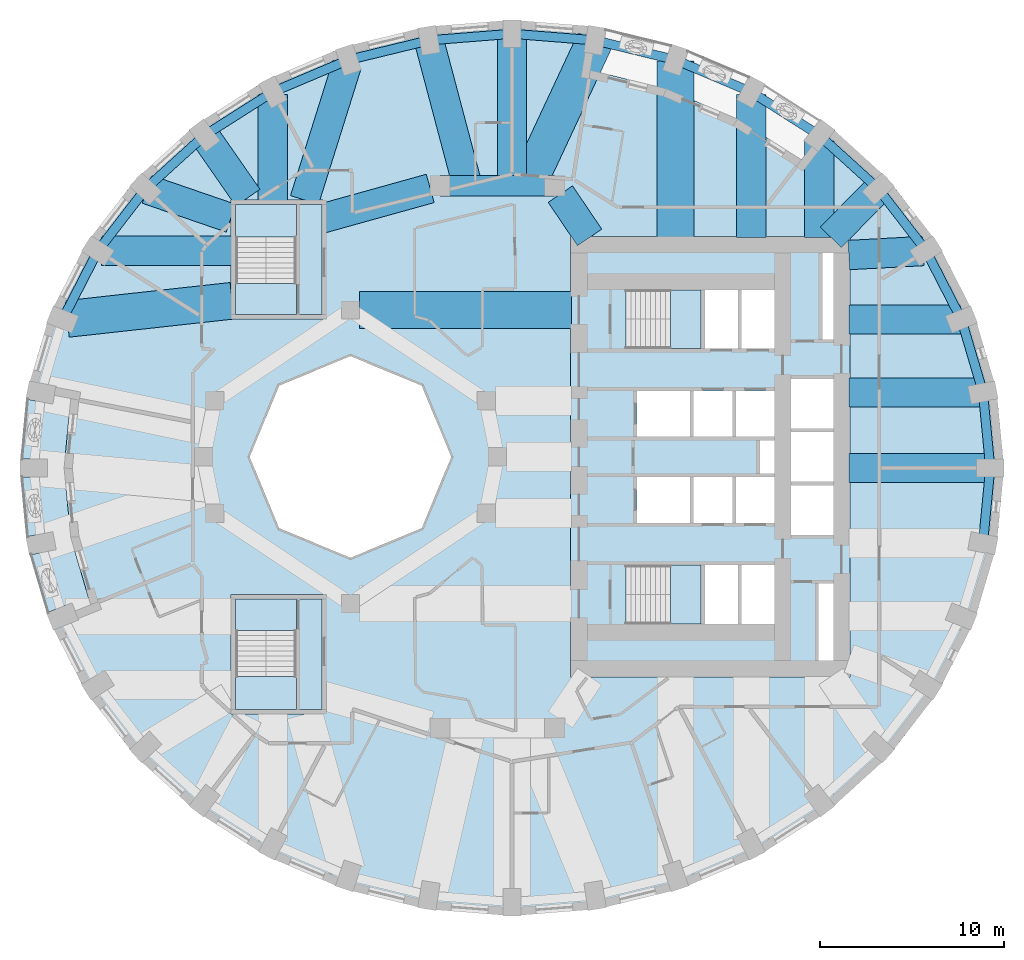
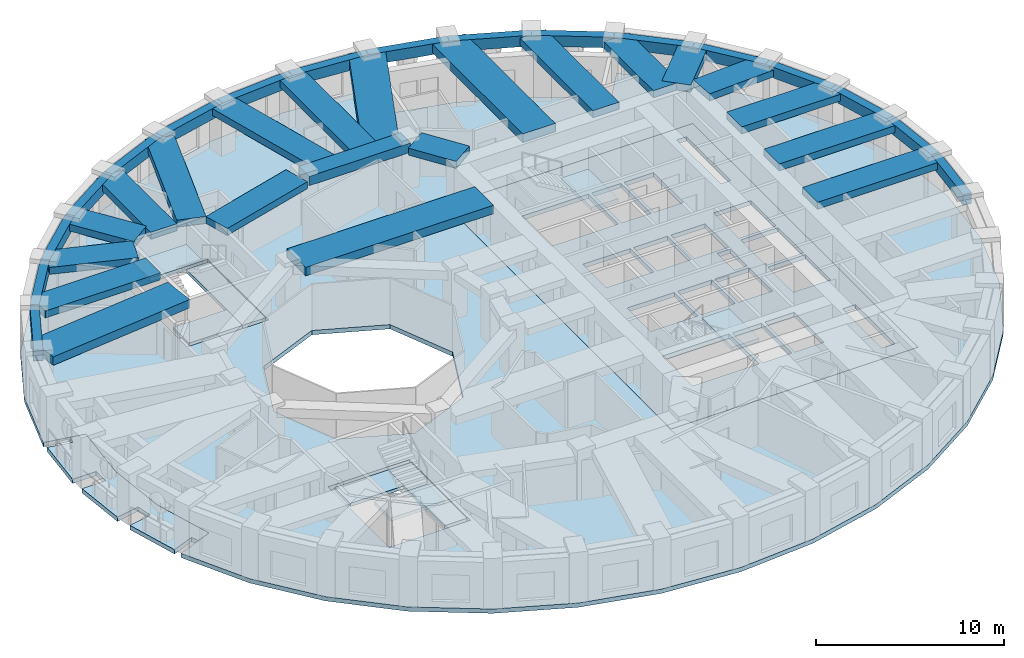
# One storey, part 2 of 12: 38 beams, 11 slabs, 4 elements without a shape of their own.
"""IFC4 building model written with IfcOpenShell, lengths in metres."""

import ifcopenshell
import ifcopenshell.guid

model = None  # the IFC model being written
_history = None  # IfcOwnerHistory: only IFC2X3 demands one
_inside = {}  # id of a spatial element -> (the spatial element, [elements in it])
_under = {}  # id of a project, library or spatial element -> (it, [spatial elements below it])
_declared = {}  # id of a project -> (the project, [libraries it declares])
_typed = {}  # id of a type object -> (the type object, [elements of that type])
_made_of = {}  # id of a material, layer set ... -> (it, [elements and type objects made of it])


def new_model(schema):
    """Start an empty IFC model of exactly this schema.

    Asked for "IFC4X3", IfcOpenShell would pick the latest addendum, in which some entities
    have other attributes; the version numbers below select the first issue.
    IFC2X3 requires an IfcOwnerHistory on every rooted entity: one is made here for all.
    """
    global model, _history
    if schema == "IFC4X3":
        model = ifcopenshell.file(schema_version=(4, 3, 0, 0))
    else:
        model = ifcopenshell.file(schema=schema)
    _inside.clear()
    _under.clear()
    _declared.clear()
    _typed.clear()
    _made_of.clear()
    _history = None
    if model.schema == "IFC2X3":
        org = make("IfcOrganization", Name="unknown")
        user = make(
            "IfcPersonAndOrganization",
            ThePerson=make("IfcPerson", FamilyName="unknown"),
            TheOrganization=org,
        )
        app = make(
            "IfcApplication",
            ApplicationDeveloper=org,
            Version="unknown",
            ApplicationFullName="unknown",
            ApplicationIdentifier="unknown",
        )
        _history = make(
            "IfcOwnerHistory",
            OwningUser=user,
            OwningApplication=app,
            ChangeAction="ADDED",
            CreationDate=0,
        )
    return model


def make(cls, **values):
    """One entity of the class cls with the attributes given. An attribute that is None is left unset."""
    return model.create_entity(
        cls, **{name: value for name, value in values.items() if value is not None}
    )


def rooted(cls, **values):
    """An entity with a GlobalId (a new one), such as an element, a storey or a relation."""
    return make(cls, GlobalId=ifcopenshell.guid.new(), OwnerHistory=_history, **values)


def si_unit(unit_type, name, prefix=None):
    """IfcSIUnit, for example si_unit("LENGTHUNIT", "METRE", prefix="MILLI")."""
    return make("IfcSIUnit", UnitType=unit_type, Prefix=prefix, Name=name)


def assignment(units):
    """IfcUnitAssignment: the units of a project."""
    return None if units is None else make("IfcUnitAssignment", Units=units)


def point(xyz):
    """IfcCartesianPoint."""
    return None if xyz is None else make("IfcCartesianPoint", Coordinates=xyz)


def direction(xyz):
    """IfcDirection."""
    return None if xyz is None else make("IfcDirection", DirectionRatios=xyz)


def frame(location, z_axis=None, x_axis=None):
    """IfcAxis2Placement3D, a coordinate frame: its origin and axes. An axis left out is left unset."""
    return make(
        "IfcAxis2Placement3D",
        Location=point(location),
        Axis=direction(z_axis),
        RefDirection=direction(x_axis),
    )


def frame_2d(location, x_axis=None):
    """IfcAxis2Placement2D, a coordinate frame in the plane: its origin and x axis."""
    return make(
        "IfcAxis2Placement2D", Location=point(location), RefDirection=direction(x_axis)
    )


def origin():
    """The frame at (0, 0, 0) with its axes left unset."""
    return frame((0.0, 0.0, 0.0))


def origin_2d():
    """The frame at (0, 0) in the plane with its x axis left unset."""
    return frame_2d((0.0, 0.0))


def place(relative_to, where):
    """IfcLocalPlacement: puts the frame where relative to a parent placement (None: the world)."""
    return make(
        "IfcLocalPlacement", PlacementRelTo=relative_to, RelativePlacement=where
    )


def context(
    kind, dimensions, precision=None, world=None, true_north=None, identifier=None
):
    """IfcGeometricRepresentationContext, for example the 3D "Model" context."""
    return make(
        "IfcGeometricRepresentationContext",
        ContextIdentifier=identifier,
        ContextType=kind,
        CoordinateSpaceDimension=dimensions,
        Precision=precision,
        WorldCoordinateSystem=world,
        TrueNorth=true_north,
    )


def subcontext(parent, identifier, kind, view, scale=None):
    """IfcGeometricRepresentationSubContext, for example "Body" below "Model"."""
    return make(
        "IfcGeometricRepresentationSubContext",
        ContextIdentifier=identifier,
        ContextType=kind,
        ParentContext=parent,
        TargetScale=scale,
        TargetView=view,
    )


def project(units=None, contexts=None):
    """IfcProject with its units and contexts."""
    return rooted(
        "IfcProject",
        Name="project",
        RepresentationContexts=contexts,
        UnitsInContext=assignment(units),
    )


def spatial(cls, under=None, at=None, **own):
    """A site, building, storey or space (cls), placed at a placement, below another one or the project."""
    s = rooted(cls, ObjectPlacement=at, **own)
    if under is not None:
        _under.setdefault(under.id(), (under, []))[1].append(s)
    return s


def polyline(points):
    """IfcPolyline through the points."""
    return make("IfcPolyline", Points=[point(p) for p in points])


def profile(cls, at=None, kind="AREA", **sizes):
    """A parametric profile (cls). Its sizes go by their IFC names, for example OverallWidth=200.0."""
    return make(cls, ProfileType=kind, Position=at, **sizes)


def rectangle(**sizes):
    """IfcRectangleProfileDef."""
    return profile("IfcRectangleProfileDef", **sizes)


def outline(outer, holes=None, kind="AREA"):
    """IfcArbitraryClosedProfileDef: a profile drawn as a closed curve; with holes, ...WithVoids."""
    if holes is None:
        return make("IfcArbitraryClosedProfileDef", ProfileType=kind, OuterCurve=outer)
    return make(
        "IfcArbitraryProfileDefWithVoids",
        ProfileType=kind,
        OuterCurve=outer,
        InnerCurves=holes,
    )


def extrude(swept, where, along, depth):
    """IfcExtrudedAreaSolid: the profile swept, set in the frame where, extruded along a direction by depth."""
    return make(
        "IfcExtrudedAreaSolid",
        SweptArea=swept,
        Position=where,
        ExtrudedDirection=direction(along),
        Depth=depth,
    )


def shape(context_of_items, identifier, shape_type, items):
    """IfcShapeRepresentation: the items that make up one representation, for example the "Body"."""
    return make(
        "IfcShapeRepresentation",
        ContextOfItems=context_of_items,
        RepresentationIdentifier=identifier,
        RepresentationType=shape_type,
        Items=items,
    )


def material(Name=None, Category=None):
    """IfcMaterial."""
    return make("IfcMaterial", Name=Name, Category=Category)


def layer(
    of_material, thickness, ventilated=None, Name=None, Category=None, Priority=None
):
    """IfcMaterialLayer: one layer of a wall or slab, of a material (None: an air gap)."""
    return make(
        "IfcMaterialLayer",
        Material=of_material,
        LayerThickness=thickness,
        IsVentilated=ventilated,
        Name=Name,
        Category=Category,
        Priority=Priority,
    )


def layer_set(layers, Name=None):
    """IfcMaterialLayerSet."""
    return make("IfcMaterialLayerSet", MaterialLayers=layers, LayerSetName=Name)


def material_profile(
    of_material, cross_section, Name=None, Category=None, Priority=None
):
    """IfcMaterialProfile: a cross section and its material."""
    return make(
        "IfcMaterialProfile",
        Name=Name,
        Material=of_material,
        Profile=cross_section,
        Priority=Priority,
        Category=Category,
    )


def profile_set(profiles, Name=None, composite=None):
    """IfcMaterialProfileSet."""
    return make(
        "IfcMaterialProfileSet",
        Name=Name,
        MaterialProfiles=profiles,
        CompositeProfile=composite,
    )


def made_of(thing, what):
    """Note that an element or type object is made of a material, layer set ...; save() writes the relation."""
    if what is not None:
        _made_of.setdefault(what.id(), (what, []))[1].append(thing)
    return thing


def type_object(cls, material=None, **own):
    """A type object (cls), such as IfcWallType, which elements share."""
    return made_of(rooted(cls, **own), material)


def element(
    cls,
    number,
    at=None,
    inside=None,
    cuts=None,
    type_object=None,
    material=None,
    context=None,
    identifier="Body",
    shape_type=None,
    held_by="IfcProductDefinitionShape",
    body=None,
    shapes=None,
    **own,
):
    """One element of the class cls, such as IfcWall. Its Tag is "e" and its number.

    at: its placement. inside: the storey or other place that contains it. cuts: it is an
    opening in that element (IfcRelVoidsElement). A single representation is given by context,
    identifier, shape_type and body (its items); several are given by shapes. held_by: the class
    of the entity that holds the representations. save() writes the other relations.
    """
    e = rooted(cls, Tag="e%d" % number, ObjectPlacement=at, **own)
    if body is not None:
        shapes = [shape(context, identifier, shape_type, body)]
    if shapes is not None:
        e.Representation = make(held_by, Representations=shapes)
    if inside is not None:
        _inside.setdefault(inside.id(), (inside, []))[1].append(e)
    if cuts is not None:
        rooted(
            "IfcRelVoidsElement", RelatingBuildingElement=cuts, RelatedOpeningElement=e
        )
    if type_object is not None:
        _typed.setdefault(type_object.id(), (type_object, []))[1].append(e)
    return made_of(e, material)


def aggregate(whole, parts):
    """IfcRelAggregates: a whole, such as a stair, and the parts it consists of."""
    return rooted("IfcRelAggregates", RelatingObject=whole, RelatedObjects=parts)


def save(model, path):
    """Write the relations noted so far, then the file.

    IfcRelAggregates (storeys below a building ...), IfcRelContainedInSpatialStructure (elements
    in a storey), IfcRelDefinesByType, IfcRelAssociatesMaterial and IfcRelDeclares: one each for
    every whole, place, type object, material and project.
    """
    for whole, parts in _under.values():
        aggregate(whole, parts)
    for where, things in _inside.values():
        rooted(
            "IfcRelContainedInSpatialStructure",
            RelatedElements=things,
            RelatingStructure=where,
        )
    for kind, things in _typed.values():
        rooted("IfcRelDefinesByType", RelatedObjects=things, RelatingType=kind)
    for what, things in _made_of.values():
        rooted("IfcRelAssociatesMaterial", RelatedObjects=things, RelatingMaterial=what)
    for by, libraries in _declared.values():
        rooted("IfcRelDeclares", RelatingContext=by, RelatedDefinitions=libraries)
    model.write(path)


model = new_model("IFC4")

# Units and contexts
model_context = context("Model", 3, precision=1e-05, world=origin(), true_north=direction((0.0, 1.0)))
body_context = subcontext(model_context, "Body", "Model", "MODEL_VIEW")
ifc_project = project(units=[si_unit("LENGTHUNIT", "METRE"), si_unit("AREAUNIT", "SQUARE_METRE"), si_unit("VOLUMEUNIT", "CUBIC_METRE"), si_unit("PLANEANGLEUNIT", "RADIAN"), si_unit("MASSUNIT", "GRAM", prefix="KILO")], contexts=[model_context])

# Site, building, storey
site_placement = place(None, origin())
site = spatial("IfcSite", under=ifc_project, at=site_placement, CompositionType="ELEMENT")
building_placement = place(site_placement, origin())
building = spatial("IfcBuilding", under=site, at=building_placement, Name="Taillehof Tower", CompositionType="ELEMENT")
storey_placement = place(building_placement, frame((0.0, 0.0, 105.39990234375)))
storey = spatial("IfcBuildingStorey", under=building, at=storey_placement, Name="L29", CompositionType="ELEMENT", Elevation=105.39990234375)

# Beams
ifc_material_1 = material(Name="Concrete C50/60", Category="concrete")
ifc_material_profile_1 = material_profile(ifc_material_1, rectangle(XDim=1.10009765625, YDim=0.60009765625, at=origin_2d()), Name="RC 1100x600")
ifc_profile_set_1 = profile_set([ifc_material_profile_1], Name="Concrete C50/60")
beam_type_1 = type_object("IfcBeamType", Name="Mid-ring beam C50/60 1100x600", PredefinedType="BEAM", material=ifc_profile_set_1)
beam_1_placement = place(storey_placement, frame((3.125732421875, 14.772216796875, 2.72021484375), z_axis=(-1.0, 0.0, 0.0), x_axis=(0.0, -1.0, 0.0)))
element("IfcBeam", 1, at=beam_1_placement, inside=storey, type_object=beam_type_1, Name="Mid-ring beam MB01", PredefinedType="BEAM", context=body_context, shape_type="SweptSolid", body=[
    extrude(rectangle(XDim=1.10009765625, YDim=0.60009765625, at=origin_2d()), origin(), (0.0, 0.0, 1.0), 6.25146484375),
])
ifc_material_2 = material(Name="Concrete C50/60", Category="concrete")
ifc_material_profile_2 = material_profile(ifc_material_2, rectangle(XDim=1.60009765625, YDim=0.449951171875, at=origin_2d()), Name="RC 1600x450")
ifc_profile_set_2 = profile_set([ifc_material_profile_2], Name="Concrete C50/60")
beam_type_2 = type_object("IfcBeamType", Name="Radial band beam C50/60 1600x450", PredefinedType="BEAM", material=ifc_profile_set_2)
beam_2_placement = place(storey_placement, frame((26.85009765625, -0.60009765625, 2.795166015625), z_axis=(-1.0, 0.0, 0.0), x_axis=(0.0, -1.0, 0.0)))
element("IfcBeam", 2, at=beam_2_placement, inside=storey, type_object=beam_type_2, Name="Radial band beam RB01", PredefinedType="BEAM", context=body_context, shape_type="SweptSolid", body=[
    extrude(rectangle(XDim=1.60009765625, YDim=0.449951171875, at=origin_2d()), origin(), (0.0, 0.0, 1.0), 7.7001953125),
])
beam_3_placement = place(storey_placement, frame((26.454345703125, 3.5068359375, 2.795166015625), z_axis=(-1.0, 0.0, 0.0), x_axis=(0.0, -1.0, 0.0)))
element("IfcBeam", 3, at=beam_3_placement, inside=storey, type_object=beam_type_2, Name="Radial band beam RB02", PredefinedType="BEAM", context=body_context, shape_type="SweptSolid", body=[
    extrude(rectangle(XDim=1.60009765625, YDim=0.449951171875, at=origin_2d()), origin(), (0.0, 0.0, 1.0), 7.304443359375),
])
beam_4_placement = place(storey_placement, frame((25.2275390625, 7.48876953125, 2.795166015625), z_axis=(-1.0, 0.0, 0.0), x_axis=(0.0, -1.0, 0.0)))
element("IfcBeam", 4, at=beam_4_placement, inside=storey, type_object=beam_type_2, Name="Radial band beam RB03", PredefinedType="BEAM", context=body_context, shape_type="SweptSolid", body=[
    extrude(rectangle(XDim=1.60009765625, YDim=0.449951171875, at=origin_2d()), origin(), (0.0, 0.0, 1.0), 6.07763671875),
])
beam_5_placement = place(storey_placement, frame((23.197021484375, 11.21630859375, 2.795166015625), z_axis=(-0.998539024739, -0.054035322466, 0.0), x_axis=(0.054035322466, -0.998539024739, 0.0)))
element("IfcBeam", 5, at=beam_5_placement, inside=storey, type_object=beam_type_2, Name="Radial band beam RB04", PredefinedType="BEAM", context=body_context, shape_type="SweptSolid", body=[
    extrude(rectangle(XDim=1.60009765625, YDim=0.449951171875, at=origin_2d()), origin(), (0.0, 0.0, 1.0), 4.052734375),
])
beam_6_placement = place(storey_placement, frame((20.75537109375, 14.60205078125, 2.795166015625), z_axis=(-0.700671998657, -0.713483531903, 0.0), x_axis=(0.713483531903, -0.700671998657, 0.0)))
element("IfcBeam", 6, at=beam_6_placement, inside=storey, type_object=beam_type_2, Name="Radial band beam RB05", PredefinedType="BEAM", context=body_context, shape_type="SweptSolid", body=[
    extrude(rectangle(XDim=1.60009765625, YDim=0.449951171875, at=origin_2d()), origin(), (0.0, 0.0, 1.0), 3.697021484375),
])
beam_7_placement = place(storey_placement, frame((17.544677734375, 17.2216796875, 2.795166015625), z_axis=(0.0, -1.0, 0.0), x_axis=(1.0, 0.0, 0.0)))
element("IfcBeam", 7, at=beam_7_placement, inside=storey, type_object=beam_type_2, Name="Radial band beam RB06", PredefinedType="BEAM", context=body_context, shape_type="SweptSolid", body=[
    extrude(rectangle(XDim=1.60009765625, YDim=0.449951171875, at=origin_2d()), origin(), (0.0, 0.0, 1.0), 5.271728515625),
])
beam_8_placement = place(storey_placement, frame((13.824951171875, 19.744384765625, 2.795166015625), z_axis=(0.0, -1.0, 0.0), x_axis=(1.0, 0.0, 0.0)))
element("IfcBeam", 8, at=beam_8_placement, inside=storey, type_object=beam_type_2, Name="Radial band beam RB07", PredefinedType="BEAM", context=body_context, shape_type="SweptSolid", body=[
    extrude(rectangle(XDim=1.60009765625, YDim=0.449951171875, at=origin_2d()), origin(), (0.0, 0.0, 1.0), 7.79443359375),
])
beam_9_placement = place(storey_placement, frame((0.800048828125, 23.050048828125, 2.795166015625), z_axis=(0.0, -1.0, 0.0), x_axis=(1.0, 0.0, 0.0)))
element("IfcBeam", 9, at=beam_9_placement, inside=storey, type_object=beam_type_2, Name="Radial band beam RB10", PredefinedType="BEAM", context=body_context, shape_type="SweptSolid", body=[
    extrude(rectangle(XDim=1.60009765625, YDim=0.449951171875, at=origin_2d()), origin(), (0.0, 0.0, 1.0), 8.27783203125),
])
beam_10_placement = place(storey_placement, frame((-3.7236328125, 22.690673828125, 2.795166015625), z_axis=(0.256102263642, -0.966649693817, 0.0), x_axis=(0.966649693817, 0.256102263642, 0.0)))
element("IfcBeam", 10, at=beam_10_placement, inside=storey, type_object=beam_type_2, Name="Radial band beam RB11", PredefinedType="BEAM", context=body_context, shape_type="SweptSolid", body=[
    extrude(rectangle(XDim=1.60009765625, YDim=0.449951171875, at=origin_2d()), origin(), (0.0, 0.0, 1.0), 8.191650390625),
])
beam_11_placement = place(storey_placement, frame((-8.189453125, 21.369140625, 2.795166015625), z_axis=(-0.299184997435, -0.954195125386, 0.0), x_axis=(0.954195125386, -0.299184997435, 0.0)))
element("IfcBeam", 11, at=beam_11_placement, inside=storey, type_object=beam_type_2, Name="Radial band beam RB12", PredefinedType="BEAM", context=body_context, shape_type="SweptSolid", body=[
    extrude(rectangle(XDim=1.60009765625, YDim=0.449951171875, at=origin_2d()), origin(), (0.0, 0.0, 1.0), 7.728515625),
])
beam_12_placement = place(storey_placement, frame((-12.22509765625, 19.744384765625, 2.795166015625), z_axis=(0.0, -1.0, 0.0), x_axis=(1.0, 0.0, 0.0)))
element("IfcBeam", 12, at=beam_12_placement, inside=storey, type_object=beam_type_2, Name="Radial band beam RB13", PredefinedType="BEAM", context=body_context, shape_type="SweptSolid", body=[
    extrude(rectangle(XDim=1.60009765625, YDim=0.449951171875, at=origin_2d()), origin(), (0.0, 0.0, 1.0), 5.79443359375),
])
beam_13_placement = place(storey_placement, frame((-15.944580078125, 17.516845703125, 2.795166015625), z_axis=(0.570763290366, -0.821114648737, 0.0), x_axis=(0.821114648737, 0.570763290366, 0.0)))
element("IfcBeam", 13, at=beam_13_placement, inside=storey, type_object=beam_type_2, Name="Radial band beam RB14", PredefinedType="BEAM", context=body_context, shape_type="SweptSolid", body=[
    extrude(rectangle(XDim=1.60009765625, YDim=0.449951171875, at=origin_2d()), origin(), (0.0, 0.0, 1.0), 4.1328125),
])
beam_14_placement = place(storey_placement, frame((-19.080810546875, 14.576171875, 2.795166015625), z_axis=(0.945583195076, -0.325380425334, 0.0), x_axis=(0.325380425334, 0.945583195076, 0.0)))
element("IfcBeam", 14, at=beam_14_placement, inside=storey, type_object=beam_type_2, Name="Radial band beam RB15", PredefinedType="BEAM", context=body_context, shape_type="SweptSolid", body=[
    extrude(rectangle(XDim=1.60009765625, YDim=0.449951171875, at=origin_2d()), origin(), (0.0, 0.0, 1.0), 4.83349609375),
])
beam_15_placement = place(storey_placement, frame((-21.54736328125, 11.22509765625, 2.795166015625), z_axis=(1.0, 0.0, 0.0), x_axis=(0.0, 1.0, 0.0)))
element("IfcBeam", 15, at=beam_15_placement, inside=storey, type_object=beam_type_2, Name="Radial band beam RB16", PredefinedType="BEAM", context=body_context, shape_type="SweptSolid", body=[
    extrude(rectangle(XDim=1.60009765625, YDim=0.449951171875, at=origin_2d()), origin(), (0.0, 0.0, 1.0), 7.097412109375),
])
beam_16_placement = place(storey_placement, frame((3.433837890625, 14.31640625, 2.795166015625), z_axis=(0.560112043398, -0.828416862962, 0.0), x_axis=(0.828416862962, 0.560112043398, 0.0)))
element("IfcBeam", 16, at=beam_16_placement, inside=storey, type_object=beam_type_2, Name="Inner band beam IB205", PredefinedType="BEAM", context=body_context, shape_type="SweptSolid", body=[
    extrude(rectangle(XDim=1.60009765625, YDim=0.449951171875, at=origin_2d()), origin(), (0.0, 0.0, 1.0), 2.84619140625),
])
beam_17_placement = place(storey_placement, frame((-3.655517578125, 14.624755859375, 2.795166015625), z_axis=(-0.963459369536, -0.267854518821, 0.0), x_axis=(0.267854518821, -0.963459369536, 0.0)))
element("IfcBeam", 17, at=beam_17_placement, inside=storey, type_object=beam_type_2, Name="Inner band beam IB206", PredefinedType="BEAM", context=body_context, shape_type="SweptSolid", body=[
    extrude(rectangle(XDim=1.60009765625, YDim=0.449951171875, at=origin_2d()), origin(), (0.0, 0.0, 1.0), 6.096923828125),
])
ifc_material_3 = material(Name="Concrete C50/60", Category="concrete")
ifc_material_profile_3 = material_profile(ifc_material_3, rectangle(XDim=2.0, YDim=0.550048828125, at=origin_2d()), Name="RC 2000x550")
ifc_profile_set_3 = profile_set([ifc_material_profile_3], Name="Concrete C50/60")
beam_type_3 = type_object("IfcBeamType", Name="Radial band beam C50/60 2000x550", PredefinedType="BEAM", material=ifc_profile_set_3)
beam_18_placement = place(storey_placement, frame((9.709716796875, 21.556640625, 2.7451171875), z_axis=(0.0, -1.0, 0.0), x_axis=(1.0, 0.0, 0.0)))
element("IfcBeam", 18, at=beam_18_placement, inside=storey, type_object=beam_type_3, Name="Radial band beam RB08", PredefinedType="BEAM", context=body_context, shape_type="SweptSolid", body=[
    extrude(rectangle(XDim=2.0, YDim=0.550048828125, at=origin_2d()), origin(), (0.0, 0.0, 1.0), 9.606689453125),
])
beam_19_placement = place(storey_placement, frame((5.312744140625, 22.66748046875, 2.7451171875), z_axis=(-0.423126261145, -0.90607072965, 0.0), x_axis=(0.90607072965, -0.423126261145, 0.0)))
element("IfcBeam", 19, at=beam_19_placement, inside=storey, type_object=beam_type_3, Name="Radial band beam RB09", PredefinedType="BEAM", context=body_context, shape_type="SweptSolid", body=[
    extrude(rectangle(XDim=2.0, YDim=0.550048828125, at=origin_2d()), origin(), (0.0, 0.0, 1.0), 8.713623046875),
])
beam_20_placement = place(storey_placement, frame((-23.42919921875, 7.516357421875, 2.7451171875), z_axis=(0.993988424713, 0.109485211499, 0.0), x_axis=(-0.109485211499, 0.993988424713, 0.0)))
element("IfcBeam", 20, at=beam_20_placement, inside=storey, type_object=beam_type_3, Name="Radial band beam RB17", PredefinedType="BEAM", context=body_context, shape_type="SweptSolid", body=[
    extrude(rectangle(XDim=2.0, YDim=0.550048828125, at=origin_2d()), origin(), (0.0, 0.0, 1.0), 9.033203125),
])
beam_21_placement = place(storey_placement, frame((-7.5, 8.0, 2.7451171875), z_axis=(1.0, 0.0, 0.0), x_axis=(0.0, 1.0, 0.0)))
element("IfcBeam", 21, at=beam_21_placement, inside=storey, type_object=beam_type_3, Name="Inner band beam IB105", PredefinedType="BEAM", context=body_context, shape_type="SweptSolid", body=[
    extrude(rectangle(XDim=2.0, YDim=0.550048828125, at=origin_2d()), origin(), (0.0, 0.0, 1.0), 11.550048828125),
])
ifc_material_4 = material(Name="Concrete C50/60", Category="concrete")
ifc_material_profile_4 = material_profile(ifc_material_4, rectangle(XDim=0.5, YDim=0.699951171875, at=origin_2d()), Name="RC 500x700")
ifc_profile_set_4 = profile_set([ifc_material_profile_4], Name="Concrete C50/60")
beam_type_4 = type_object("IfcBeamType", Name="Spandrel beam C50/60 500x700", PredefinedType="SPANDREL", material=ifc_profile_set_4)
beam_22_placement = place(storey_placement, frame((26.85009765625, -0.60009765625, 2.670166015625), z_axis=(-0.095917608943, 0.995389276763, 0.0), x_axis=(-0.995389276763, -0.095917608943, 0.0)))
element("IfcBeam", 22, at=beam_22_placement, inside=storey, type_object=beam_type_4, Name="Spandrel beam SB01", PredefinedType="SPANDREL", context=body_context, shape_type="SweptSolid", body=[
    extrude(rectangle(XDim=0.5, YDim=0.699951171875, at=origin_2d()), origin(), (0.0, 0.0, 1.0), 4.1259765625),
])
beam_23_placement = place(storey_placement, frame((26.454345703125, 3.5068359375, 2.670166015625), z_axis=(-0.28308309012, 0.95909538842, 0.0), x_axis=(-0.95909538842, -0.28308309012, 0.0)))
element("IfcBeam", 23, at=beam_23_placement, inside=storey, type_object=beam_type_4, Name="Spandrel beam SB02", PredefinedType="SPANDREL", context=body_context, shape_type="SweptSolid", body=[
    extrude(rectangle(XDim=0.5, YDim=0.699951171875, at=origin_2d()), origin(), (0.0, 0.0, 1.0), 4.15185546875),
])
beam_24_placement = place(storey_placement, frame((25.279052734375, 7.48876953125, 2.670166015625), z_axis=(-0.456905372708, 0.88951530644, 0.0), x_axis=(-0.88951530644, -0.456905372708, 0.0)))
element("IfcBeam", 24, at=beam_24_placement, inside=storey, type_object=beam_type_4, Name="Spandrel beam SB03", PredefinedType="SPANDREL", context=body_context, shape_type="SweptSolid", body=[
    extrude(rectangle(XDim=0.5, YDim=0.699951171875, at=origin_2d()), origin(), (0.0, 0.0, 1.0), 4.200439453125),
])
beam_25_placement = place(storey_placement, frame((23.35986328125, 11.22509765625, 2.670166015625), z_axis=(-0.61071731561, 0.79184869793, 0.0), x_axis=(-0.79184869793, -0.61071731561, 0.0)))
element("IfcBeam", 25, at=beam_25_placement, inside=storey, type_object=beam_type_4, Name="Spandrel beam SB04", PredefinedType="SPANDREL", context=body_context, shape_type="SweptSolid", body=[
    extrude(rectangle(XDim=0.5, YDim=0.699951171875, at=origin_2d()), origin(), (0.0, 0.0, 1.0), 4.2646484375),
])
beam_26_placement = place(storey_placement, frame((20.75537109375, 14.60205078125, 2.670166015625), z_axis=(-0.740400998917, 0.672165426665, 0.0), x_axis=(-0.672165426665, -0.740400998917, 0.0)))
element("IfcBeam", 26, at=beam_26_placement, inside=storey, type_object=beam_type_4, Name="Spandrel beam SB05", PredefinedType="SPANDREL", context=body_context, shape_type="SweptSolid", body=[
    extrude(rectangle(XDim=0.5, YDim=0.699951171875, at=origin_2d()), origin(), (0.0, 0.0, 1.0), 4.33642578125),
])
beam_27_placement = place(storey_placement, frame((17.544677734375, 17.516845703125, 2.670166015625), z_axis=(-0.843903157847, 0.536495536027, 0.0), x_axis=(-0.536495536027, -0.843903157847, 0.0)))
element("IfcBeam", 27, at=beam_27_placement, inside=storey, type_object=beam_type_4, Name="Spandrel beam SB06", PredefinedType="SPANDREL", context=body_context, shape_type="SweptSolid", body=[
    extrude(rectangle(XDim=0.5, YDim=0.699951171875, at=origin_2d()), origin(), (0.0, 0.0, 1.0), 4.40771484375),
])
beam_28_placement = place(storey_placement, frame((13.824951171875, 19.881591796875, 2.670166015625), z_axis=(-0.920876744153, 0.389853847074, 0.0), x_axis=(-0.389853847074, -0.920876744153, 0.0)))
element("IfcBeam", 28, at=beam_28_placement, inside=storey, type_object=beam_type_4, Name="Spandrel beam SB07", PredefinedType="SPANDREL", context=body_context, shape_type="SweptSolid", body=[
    extrude(rectangle(XDim=0.5, YDim=0.699951171875, at=origin_2d()), origin(), (0.0, 0.0, 1.0), 4.46875),
])
beam_29_placement = place(storey_placement, frame((9.709716796875, 21.623779296875, 2.670166015625), z_axis=(-0.971668945916, 0.23634605887, 0.0), x_axis=(-0.23634605887, -0.971668945916, 0.0)))
element("IfcBeam", 29, at=beam_29_placement, inside=storey, type_object=beam_type_4, Name="Spandrel beam SB08", PredefinedType="SPANDREL", context=body_context, shape_type="SweptSolid", body=[
    extrude(rectangle(XDim=0.5, YDim=0.699951171875, at=origin_2d()), origin(), (0.0, 0.0, 1.0), 4.51416015625),
])
beam_30_placement = place(storey_placement, frame((5.323486328125, 22.690673828125, 2.670166015625), z_axis=(-0.996858923208, 0.079197772828, 0.0), x_axis=(-0.079197772828, -0.996858923208, 0.0)))
element("IfcBeam", 30, at=beam_30_placement, inside=storey, type_object=beam_type_4, Name="Spandrel beam SB09", PredefinedType="SPANDREL", context=body_context, shape_type="SweptSolid", body=[
    extrude(rectangle(XDim=0.5, YDim=0.699951171875, at=origin_2d()), origin(), (0.0, 0.0, 1.0), 4.53759765625),
])
beam_31_placement = place(storey_placement, frame((0.800048828125, 23.050048828125, 2.670166015625), z_axis=(-0.996859260648, -0.079193525375, 0.0), x_axis=(0.079193525375, -0.996859260648, 0.0)))
element("IfcBeam", 31, at=beam_31_placement, inside=storey, type_object=beam_type_4, Name="Spandrel beam SB10", PredefinedType="SPANDREL", context=body_context, shape_type="SweptSolid", body=[
    extrude(rectangle(XDim=0.5, YDim=0.699951171875, at=origin_2d()), origin(), (0.0, 0.0, 1.0), 4.537841796875),
])
beam_32_placement = place(storey_placement, frame((-3.7236328125, 22.690673828125, 2.670166015625), z_axis=(-0.971665924588, -0.236358479847, 0.0), x_axis=(0.236358479847, -0.971665924588, 0.0)))
element("IfcBeam", 32, at=beam_32_placement, inside=storey, type_object=beam_type_4, Name="Spandrel beam SB11", PredefinedType="SPANDREL", context=body_context, shape_type="SweptSolid", body=[
    extrude(rectangle(XDim=0.5, YDim=0.699951171875, at=origin_2d()), origin(), (0.0, 0.0, 1.0), 4.513916015625),
])
beam_33_placement = place(storey_placement, frame((-8.109619140625, 21.623779296875, 2.670166015625), z_axis=(-0.920885046825, -0.389834234688, 0.0), x_axis=(0.389834234688, -0.920885046825, 0.0)))
element("IfcBeam", 33, at=beam_33_placement, inside=storey, type_object=beam_type_4, Name="Spandrel beam SB12", PredefinedType="SPANDREL", context=body_context, shape_type="SweptSolid", body=[
    extrude(rectangle(XDim=0.5, YDim=0.699951171875, at=origin_2d()), origin(), (0.0, 0.0, 1.0), 4.468994140625),
])
beam_34_placement = place(storey_placement, frame((-12.22509765625, 19.881591796875, 2.670166015625), z_axis=(-0.843887214322, -0.536520614239, 0.0), x_axis=(0.536520614239, -0.843887214322, 0.0)))
element("IfcBeam", 34, at=beam_34_placement, inside=storey, type_object=beam_type_4, Name="Spandrel beam SB13", PredefinedType="SPANDREL", context=body_context, shape_type="SweptSolid", body=[
    extrude(rectangle(XDim=0.5, YDim=0.699951171875, at=origin_2d()), origin(), (0.0, 0.0, 1.0), 4.407470703125),
])
beam_35_placement = place(storey_placement, frame((-15.944580078125, 17.516845703125, 2.670166015625), z_axis=(-0.740426434014, -0.672137408432, 0.0), x_axis=(0.672137408432, -0.740426434014, 0.0)))
element("IfcBeam", 35, at=beam_35_placement, inside=storey, type_object=beam_type_4, Name="Spandrel beam SB14", PredefinedType="SPANDREL", context=body_context, shape_type="SweptSolid", body=[
    extrude(rectangle(XDim=0.5, YDim=0.699951171875, at=origin_2d()), origin(), (0.0, 0.0, 1.0), 4.336669921875),
])
beam_36_placement = place(storey_placement, frame((-19.155517578125, 14.60205078125, 2.670166015625), z_axis=(-0.61071731561, -0.79184869793, 0.0), x_axis=(0.79184869793, -0.61071731561, 0.0)))
element("IfcBeam", 36, at=beam_36_placement, inside=storey, type_object=beam_type_4, Name="Spandrel beam SB15", PredefinedType="SPANDREL", context=body_context, shape_type="SweptSolid", body=[
    extrude(rectangle(XDim=0.5, YDim=0.699951171875, at=origin_2d()), origin(), (0.0, 0.0, 1.0), 4.2646484375),
])
beam_37_placement = place(storey_placement, frame((-21.760009765625, 11.22509765625, 2.670166015625), z_axis=(-0.456859381733, -0.889538928503, 0.0), x_axis=(0.889538928503, -0.456859381733, 0.0)))
element("IfcBeam", 37, at=beam_37_placement, inside=storey, type_object=beam_type_4, Name="Spandrel beam SB16", PredefinedType="SPANDREL", context=body_context, shape_type="SweptSolid", body=[
    extrude(rectangle(XDim=0.5, YDim=0.699951171875, at=origin_2d()), origin(), (0.0, 0.0, 1.0), 4.2001953125),
])
beam_38_placement = place(storey_placement, frame((26.454345703125, -4.706787109375, 2.670166015625), z_axis=(0.09592325873, 0.995388732323, 0.0), x_axis=(-0.995388732323, 0.09592325873, 0.0)))
element("IfcBeam", 38, at=beam_38_placement, inside=storey, type_object=beam_type_4, Name="Spandrel beam SB36", PredefinedType="SPANDREL", context=body_context, shape_type="SweptSolid", body=[
    extrude(rectangle(XDim=0.5, YDim=0.699951171875, at=origin_2d()), origin(), (0.0, 0.0, 1.0), 4.125732421875),
])

# Slabs
ifc_material_5 = material(Name="Concrete C40/50", Category="concrete")
ifc_layer_1 = layer(ifc_material_5, 0.280029296875)
ifc_layer_set_1 = layer_set([ifc_layer_1], Name="Balcony slab 280")
slab_type_1 = type_object("IfcSlabType", Name="Balcony slab 280", PredefinedType="USERDEFINED", material=ifc_layer_set_1)
slab_1_placement = place(storey_placement, frame((0.0, 0.0, -0.27978515625)))
element("IfcSlab", 39, at=slab_1_placement, inside=storey, type_object=slab_type_1, Name="Balcony L29 pocket 5", ObjectType="BALCONY", PredefinedType="USERDEFINED", context=body_context, shape_type="SweptSolid", body=[
    extrude(outline(polyline([(-22.1552734375, -8.054443359375), (-22.9912109375, -8.388671875), (-23.168212890625, -7.946044921875), (-24.518798828125, -8.486083984375), (-25.447509765625, -5.3310546875), (-24.02294921875, -5.05517578125), (-24.212890625, -4.0732421875), (-25.6396484375, -4.349609375), (-25.951904296875, -1.10009765625), (-24.5, -1.10009765625), (-24.5, -0.10009765625), (-25.951904296875, -0.10009765625), (-25.6396484375, 3.149658203125), (-24.212890625, 2.873291015625), (-24.120361328125, 3.351806640625), (-23.236572265625, 3.1806640625), (-23.60009765625, -0.60009765625), (-23.236572265625, -4.380615234375), (-22.1552734375, -8.054443359375)])), origin(), (0.0, 0.0, 1.0), 0.27978515625),
])
ifc_material_6 = material(Name="Concrete C40/50", Category="concrete")
ifc_layer_2 = layer(ifc_material_6, 0.280029296875)
ifc_layer_set_2 = layer_set([ifc_layer_2], Name="Core floor slab C40/50 280")
slab_type_2 = type_object("IfcSlabType", Name="Core floor slab C40/50 280", PredefinedType="FLOOR", material=ifc_layer_set_2)
slab_2_placement = place(storey_placement, frame((0.0, 0.0, -0.27978515625)))
element("IfcSlab", 40, at=slab_2_placement, inside=storey, type_object=slab_type_2, Name="Core floor L29", PredefinedType="FLOOR", context=body_context, shape_type="SweptSolid", body=[
    extrude(outline(polyline([(4.0, -12.0), (4.0, 12.0), (19.199951171875, 12.0), (19.199951171875, -12.0), (4.0, -12.0)]), holes=[polyline([(7.00048828125, -9.10009765625), (11.10009765625, -9.10009765625), (11.10009765625, -5.89990234375), (7.00048828125, -5.89990234375), (7.00048828125, -9.10009765625)]), polyline([(13.10009765625, -9.10009765625), (13.10009765625, -5.89990234375), (11.300048828125, -5.89990234375), (11.300048828125, -9.10009765625), (13.10009765625, -9.10009765625)]), polyline([(10.5, -3.60009765625), (10.5, -1.10009765625), (7.60009765625, -1.10009765625), (7.60009765625, -3.60009765625), (10.5, -3.60009765625)]), polyline([(12.800048828125, -3.60009765625), (12.800048828125, -1.10009765625), (10.699951171875, -1.10009765625), (10.699951171875, -3.60009765625), (12.800048828125, -3.60009765625)]), polyline([(10.5, 1.10009765625), (10.5, 3.60009765625), (7.60009765625, 3.60009765625), (7.60009765625, 1.10009765625), (10.5, 1.10009765625)]), polyline([(12.800048828125, 1.10009765625), (12.800048828125, 3.60009765625), (10.699951171875, 3.60009765625), (10.699951171875, 1.10009765625), (12.800048828125, 1.10009765625)]), polyline([(15.10009765625, 1.10009765625), (15.10009765625, 3.60009765625), (13.0, 3.60009765625), (13.0, 1.10009765625), (15.10009765625, 1.10009765625)]), polyline([(11.300048828125, 5.89990234375), (13.10009765625, 5.89990234375), (13.10009765625, 9.10009765625), (11.300048828125, 9.10009765625), (11.300048828125, 5.89990234375)]), polyline([(7.00048828125, 5.89990234375), (11.10009765625, 5.89990234375), (11.10009765625, 9.10009765625), (7.00048828125, 9.10009765625), (7.00048828125, 5.89990234375)]), polyline([(18.300048828125, -11.10009765625), (18.300048828125, -6.89990234375), (17.5, -6.89990234375), (17.5, -11.10009765625), (18.300048828125, -11.10009765625)]), polyline([(15.10009765625, -9.10009765625), (15.10009765625, -5.89990234375), (13.300048828125, -5.89990234375), (13.300048828125, -9.10009765625), (15.10009765625, -9.10009765625)]), polyline([(18.300048828125, -4.25), (18.300048828125, -1.550048828125), (16.0, -1.550048828125), (16.0, -4.25), (18.300048828125, -4.25)]), polyline([(15.10009765625, -3.60009765625), (15.10009765625, -1.10009765625), (13.0, -1.10009765625), (13.0, -3.60009765625), (15.10009765625, -3.60009765625)]), polyline([(15.10009765625, -0.89990234375), (15.10009765625, 0.89990234375), (14.300048828125, 0.89990234375), (14.300048828125, -0.89990234375), (15.10009765625, -0.89990234375)]), polyline([(18.300048828125, -1.35009765625), (18.300048828125, 1.35009765625), (16.0, 1.35009765625), (16.0, -1.35009765625), (18.300048828125, -1.35009765625)]), polyline([(18.300048828125, 1.550048828125), (18.300048828125, 4.25), (16.0, 4.25), (16.0, 1.550048828125), (18.300048828125, 1.550048828125)]), polyline([(13.300048828125, 5.89990234375), (15.10009765625, 5.89990234375), (15.10009765625, 9.10009765625), (13.300048828125, 9.10009765625), (13.300048828125, 5.89990234375)]), polyline([(17.699951171875, 6.39990234375), (18.300048828125, 6.39990234375), (18.300048828125, 11.10009765625), (17.699951171875, 11.10009765625), (17.699951171875, 6.39990234375)])]), origin(), (0.0, 0.0, 1.0), 0.27978515625),
])
ifc_material_7 = material(Name="Concrete C40/50", Category="concrete")
ifc_layer_3 = layer(ifc_material_7, 0.280029296875)
ifc_layer_set_3 = layer_set([ifc_layer_3], Name="Floor slab 280")
slab_type_3 = type_object("IfcSlabType", Name="Floor slab 280", PredefinedType="FLOOR", material=ifc_layer_set_3)
slab_3_placement = place(storey_placement, frame((0.0, 0.0, -0.27978515625)))
element("IfcSlab", 41, at=slab_3_placement, inside=storey, type_object=slab_type_3, Name="Floor slab L29", PredefinedType="FLOOR", context=body_context, shape_type="SweptSolid", body=[
    extrude(outline(polyline([(27.60009765625, -0.60009765625), (27.19287109375, 3.636962890625), (25.98388671875, 7.745361328125), (24.009521484375, 11.60009765625), (21.330078125, 15.083984375), (18.026611328125, 18.091552734375), (16.569580078125, 16.184326171875), (13.083251953125, 18.406494140625), (9.211181640625, 20.05029296875), (5.073486328125, 21.059814453125), (5.453857421875, 23.42919921875), (0.800048828125, 23.800048828125), (-3.853759765625, 23.42919921875), (-8.3662109375, 22.32861328125), (-12.60009765625, 20.531005859375), (-16.4267578125, 18.091552734375), (-19.72998046875, 15.083984375), (-22.409423828125, 11.60009765625), (-24.3837890625, 7.745361328125), (-25.5927734375, 3.636962890625), (-23.236572265625, 3.1806640625), (-23.60009765625, -0.60009765625), (-23.236572265625, -4.380615234375), (-22.1552734375, -8.054443359375), (-24.3837890625, -8.9453125), (-22.409423828125, -12.800048828125), (-19.72998046875, -16.283935546875), (-16.4267578125, -19.29150390625), (-12.60009765625, -21.73095703125), (-8.3662109375, -23.528564453125), (-3.853759765625, -24.62939453125), (0.800048828125, -25.0), (5.453857421875, -24.62939453125), (9.966064453125, -23.528564453125), (14.199951171875, -21.73095703125), (18.026611328125, -19.29150390625), (21.330078125, -16.283935546875), (24.009521484375, -12.800048828125), (25.98388671875, -8.9453125), (27.19287109375, -4.8369140625), (27.60009765625, -0.60009765625)]), holes=[polyline([(-14.5, -7.5), (-9.5, -7.5), (-9.5, -14.0), (-14.5, -14.0), (-14.5, -7.5)]), polyline([(-8.0, -5.5), (-11.88916015625, -3.88916015625), (-13.5, 0.0), (-11.88916015625, 3.88916015625), (-8.0, 5.5), (-4.11083984375, 3.88916015625), (-2.5, 0.0), (-4.11083984375, -3.88916015625), (-8.0, -5.5)]), polyline([(19.199951171875, 12.0), (19.199951171875, -12.0), (4.0, -12.0), (4.0, 12.0), (19.199951171875, 12.0)]), polyline([(-14.5, 14.0), (-9.5, 14.0), (-9.5, 7.5), (-14.5, 7.5), (-14.5, 14.0)])]), origin(), (0.0, 0.0, 1.0), 0.27978515625),
])

# Stair, slab
ifc_material_8 = material(Name="Concrete C40/50", Category="concrete")
stair_type = type_object("IfcStairType", Name="Exit stair half-turn", PredefinedType="HALF_TURN_STAIR", material=ifc_material_8)
stair_1_placement = place(storey_placement, origin())
stair_1 = element("IfcStair", 42, at=stair_1_placement, inside=storey, type_object=stair_type, Name="Exit stair S1", PredefinedType="HALF_TURN_STAIR")
ifc_material_9 = material(Name="Concrete C40/50", Category="concrete")
ifc_layer_4 = layer(ifc_material_9, 0.2099609375)
ifc_layer_set_4 = layer_set([ifc_layer_4], Name="Stair landing C40/50 210")
slab_type_4 = type_object("IfcSlabType", Name="Stair landing C40/50 210", PredefinedType="LANDING", material=ifc_layer_set_4)
slab_4_placement = place(storey_placement, frame((0.0, 0.0, 1.440185546875)))
slab_4 = element("IfcSlab", 43, at=slab_4_placement, type_object=slab_type_4, Name="S1 landing 1", PredefinedType="LANDING", context=body_context, shape_type="SweptSolid", body=[
    extrude(outline(polyline([(9.429931640625, 5.89990234375), (11.10009765625, 5.89990234375), (11.10009765625, 9.10009765625), (9.429931640625, 9.10009765625), (9.429931640625, 5.89990234375)])), origin(), (0.0, 0.0, 1.0), 0.2099609375),
])
aggregate(stair_1, [slab_4])

stair_2_placement = place(storey_placement, origin())
stair_2 = element("IfcStair", 44, at=stair_2_placement, inside=storey, type_object=stair_type, Name="Exit stair S2", PredefinedType="HALF_TURN_STAIR")
slab_5_placement = place(storey_placement, frame((0.0, 0.0, 1.440185546875)))
slab_5 = element("IfcSlab", 45, at=slab_5_placement, type_object=slab_type_4, Name="S2 landing 1", PredefinedType="LANDING", context=body_context, shape_type="SweptSolid", body=[
    extrude(outline(polyline([(9.429931640625, -5.89990234375), (11.10009765625, -5.89990234375), (11.10009765625, -9.10009765625), (9.429931640625, -9.10009765625), (9.429931640625, -5.89990234375)])), origin(), (0.0, 0.0, 1.0), 0.2099609375),
])
aggregate(stair_2, [slab_5])

stair_3_placement = place(storey_placement, origin())
stair_3 = element("IfcStair", 46, at=stair_3_placement, inside=storey, type_object=stair_type, Name="Exit stair S3", PredefinedType="HALF_TURN_STAIR")
slab_6_placement = place(storey_placement, frame((0.0, 0.0, 1.440185546875)))
slab_6 = element("IfcSlab", 47, at=slab_6_placement, type_object=slab_type_4, Name="S3 landing 1", PredefinedType="LANDING", context=body_context, shape_type="SweptSolid", body=[
    extrude(outline(polyline([(-14.25, 11.969970703125), (-14.25, 13.75), (-10.949951171875, 13.75), (-10.949951171875, 11.969970703125), (-14.25, 11.969970703125)])), origin(), (0.0, 0.0, 1.0), 0.2099609375),
])
aggregate(stair_3, [slab_6])

stair_4_placement = place(storey_placement, origin())
stair_4 = element("IfcStair", 48, at=stair_4_placement, inside=storey, type_object=stair_type, Name="Exit stair S4", PredefinedType="HALF_TURN_STAIR")
slab_7_placement = place(storey_placement, frame((0.0, 0.0, 1.440185546875)))
slab_7 = element("IfcSlab", 49, at=slab_7_placement, type_object=slab_type_4, Name="S4 landing 1", PredefinedType="LANDING", context=body_context, shape_type="SweptSolid", body=[
    extrude(outline(polyline([(-14.25, -11.969970703125), (-14.25, -13.75), (-10.949951171875, -13.75), (-10.949951171875, -11.969970703125), (-14.25, -11.969970703125)])), origin(), (0.0, 0.0, 1.0), 0.2099609375),
])
aggregate(stair_4, [slab_7])

# Slabs
slab_8_placement = place(storey_placement, frame((0.0, 0.0, -0.2099609375)))
element("IfcSlab", 50, at=slab_8_placement, inside=storey, type_object=slab_type_4, Name="Stair S3 floor landing", PredefinedType="LANDING", context=body_context, shape_type="SweptSolid", body=[
    extrude(outline(polyline([(-14.25, 7.75), (-14.25, 9.449951171875), (-10.949951171875, 9.449951171875), (-10.949951171875, 7.75), (-14.25, 7.75)])), origin(), (0.0, 0.0, 1.0), 0.2099609375),
])
slab_9_placement = place(storey_placement, frame((0.0, 0.0, -0.2099609375)))
element("IfcSlab", 51, at=slab_9_placement, inside=storey, type_object=slab_type_4, Name="Stair lobby S3 floor", PredefinedType="LANDING", context=body_context, shape_type="SweptSolid", body=[
    extrude(outline(polyline([(-10.949951171875, 7.75), (-9.550048828125, 7.75), (-9.550048828125, 13.75), (-10.949951171875, 13.75), (-10.949951171875, 7.75)])), origin(), (0.0, 0.0, 1.0), 0.2099609375),
])
slab_10_placement = place(storey_placement, frame((0.0, 0.0, -0.2099609375)))
element("IfcSlab", 52, at=slab_10_placement, inside=storey, type_object=slab_type_4, Name="Stair S4 floor landing", PredefinedType="LANDING", context=body_context, shape_type="SweptSolid", body=[
    extrude(outline(polyline([(-14.25, -7.75), (-14.25, -9.449951171875), (-10.949951171875, -9.449951171875), (-10.949951171875, -7.75), (-14.25, -7.75)])), origin(), (0.0, 0.0, 1.0), 0.2099609375),
])
slab_11_placement = place(storey_placement, frame((0.0, 0.0, -0.2099609375)))
element("IfcSlab", 53, at=slab_11_placement, inside=storey, type_object=slab_type_4, Name="Stair lobby S4 floor", PredefinedType="LANDING", context=body_context, shape_type="SweptSolid", body=[
    extrude(outline(polyline([(-10.949951171875, -13.75), (-9.550048828125, -13.75), (-9.550048828125, -7.75), (-10.949951171875, -7.75), (-10.949951171875, -13.75)])), origin(), (0.0, 0.0, 1.0), 0.2099609375),
])

save(model, "model.ifc")
